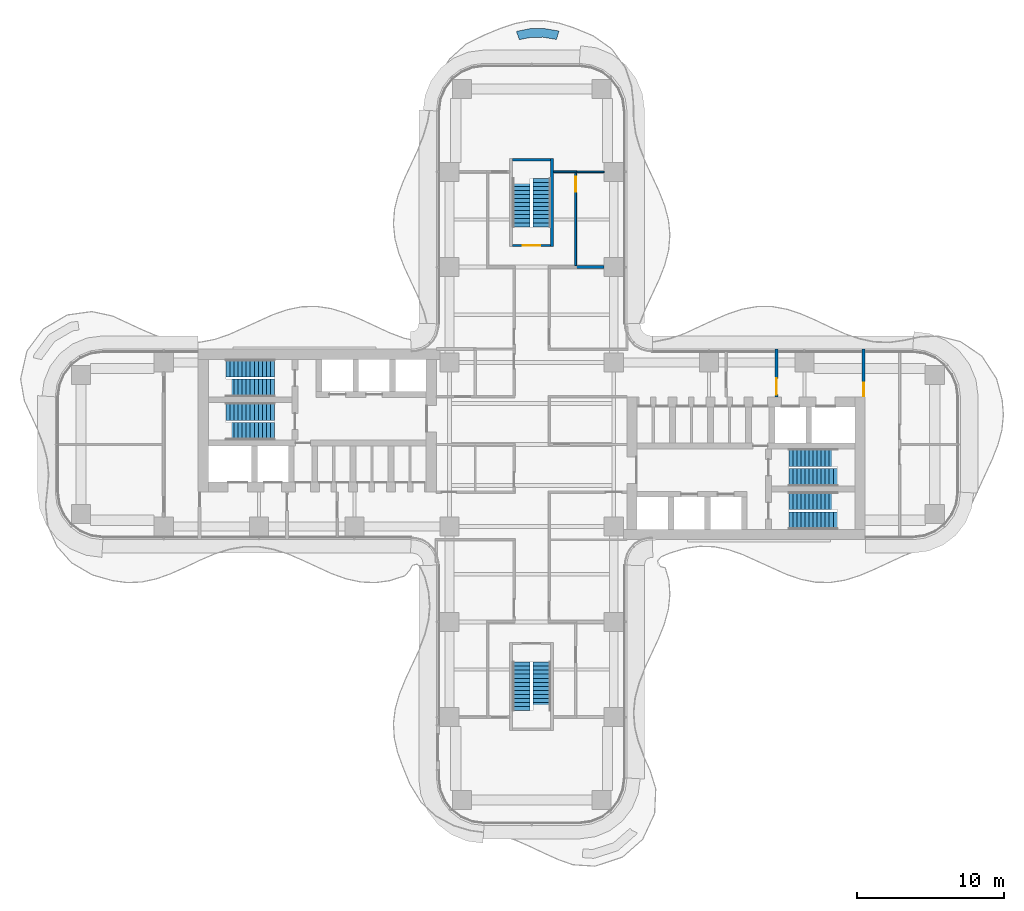
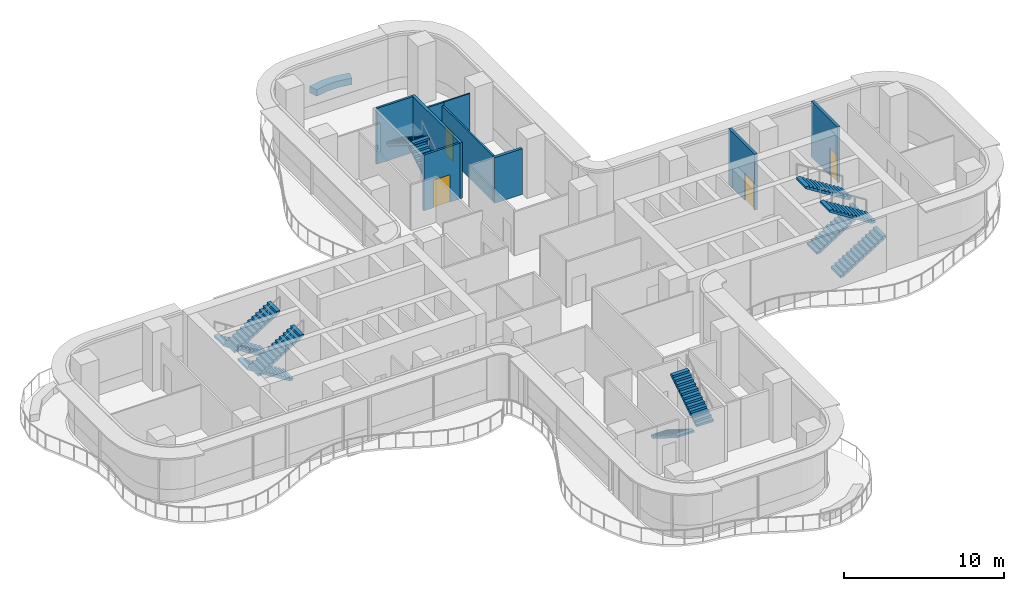
# One storey, part 19 of 21: 12 stair flights, 10 walls, 4 doors, 4 openings, 6 elements without a shape of their own.
"""IFC4 building model written with IfcOpenShell, lengths in metres."""

from ifc_helpers import new_model, si_unit, direction, frame, frame_2d, origin, place, context, subcontext, project, spatial, polyline, rectangle, outline, extrude, source, transform, mapped, material, layer, layer_set, type_object, element, fill, aggregate, save


model = new_model("IFC4")

# Units and contexts
model_context = context("Model", 3, precision=1e-05, world=origin(), true_north=direction((0.0, 1.0)))
body_context = subcontext(model_context, "Body", "Model", "MODEL_VIEW")
ifc_project = project(units=[si_unit("LENGTHUNIT", "METRE"), si_unit("AREAUNIT", "SQUARE_METRE"), si_unit("VOLUMEUNIT", "CUBIC_METRE"), si_unit("PLANEANGLEUNIT", "RADIAN"), si_unit("MASSUNIT", "GRAM", prefix="KILO")], contexts=[model_context])

# Site, building, storey
site_placement = place(None, origin())
site = spatial("IfcSite", under=ifc_project, at=site_placement, CompositionType="ELEMENT")
building_placement = place(site_placement, origin())
building = spatial("IfcBuilding", under=site, at=building_placement, Name="Trellis Farm Tower", CompositionType="ELEMENT")
storey_placement = place(building_placement, frame((0.0, 0.0, 147.0)))
storey = spatial("IfcBuildingStorey", under=building, at=storey_placement, Name="L31", CompositionType="ELEMENT", Elevation=147.0)

# Wall
ifc_material_1 = material(Name="Sandstone faced masonry planter", Category="masonry")
ifc_layer_1 = layer(ifc_material_1, 0.60009765625)
ifc_layer_set_1 = layer_set([ifc_layer_1], Name="PLANTER BED 600")
wall_type_1 = type_object("IfcWallType", Name="PLANTER BED 600", PredefinedType="USERDEFINED", material=ifc_layer_set_1)
placement = place(storey_placement, origin())
element("IfcWall", 1, at=placement, inside=storey, type_object=wall_type_1, Name="PLANTER bed", ObjectType="PLANTER", PredefinedType="USERDEFINED", context=body_context, shape_type="SweptSolid", body=[
    extrude(outline(polyline([(-0.089599609375, 28.36962890625), (0.810302734375, 28.381591796875), (1.722412109375, 28.231201171875), (1.86474609375, 28.185791015625), (1.681884765625, 27.6142578125), (1.581298828125, 27.646484375), (0.76513671875, 27.78076171875), (-0.02978515625, 27.7705078125), (-0.848388671875, 27.61572265625), (-1.0400390625, 28.184326171875), (-0.089599609375, 28.36962890625)])), origin(), (0.0, 0.0, 1.0), 0.5),
])

# Wall, opening, door
ifc_material_2 = material(Name="Masonry blockwork", Category="masonry")
ifc_layer_2 = layer(ifc_material_2, 0.199951171875)
ifc_layer_set_2 = layer_set([ifc_layer_2], Name="FIRE LOBBY PARTITION 200 BLOCKWORK")
wall_type_2 = type_object("IfcWallType", Name="FIRE LOBBY PARTITION 200 BLOCKWORK", PredefinedType="PARTITIONING", material=ifc_layer_set_2)
shared_shape_1 = source(origin(), body_context, "Body", "SweptSolid", [
    extrude(rectangle(XDim=3.25, YDim=0.199951171875, at=frame_2d((1.625, 0.0))), origin(), (0.0, 0.0, 1.0), 4.25),
])
wall_2_placement = place(storey_placement, frame((16.699951171875, 3.25, 0.0), z_axis=(0.0, 0.0, 1.0), x_axis=(0.0, 1.0, 0.0)))
wall_2 = element("IfcWall", 2, at=wall_2_placement, inside=storey, type_object=wall_type_2, Name="Fire-fighting lobby partition", PredefinedType="PARTITIONING", context=body_context, shape_type="MappedRepresentation", body=[
    mapped(shared_shape_1, transform((0.0, 0.0, 0.0))),
])
shared_shape_2 = source(origin(), body_context, "Body", "SweptSolid", [
    extrude(rectangle(XDim=1.10009765625, YDim=2.10009765625, at=frame_2d((0.550048828125, 1.050048828125))), frame((0.0, 0.110107421875, 0.0), z_axis=(0.0, -1.0, 0.0), x_axis=(1.0, 0.0, 0.0)), (0.0, 0.0, 1.0), 0.22021484375),
])
opening_1_placement = place(wall_2_placement, frame((0.14990234375, 0.0, 0.0)))
opening_1 = element("IfcOpeningElement", 3, at=opening_1_placement, cuts=wall_2, Name="Opening DC7", PredefinedType="OPENING", context=body_context, shape_type="MappedRepresentation", body=[
    mapped(shared_shape_2, transform((0.0, 0.0, 0.0))),
])
ifc_material_3 = material(Name="Steel", Category="steel")
door_type_1 = type_object("IfcDoorType", Name="CORE FIRE DOOR 1100 X 2100", OperationType="NOTDEFINED", PredefinedType="DOOR", material=ifc_material_3)
shared_shape_3 = source(origin(), body_context, "Body", "SweptSolid", [
    extrude(rectangle(XDim=1.10009765625, YDim=2.10009765625, at=frame_2d((0.550048828125, 1.050048828125))), frame((0.0, 0.02490234375, 0.0), z_axis=(0.0, -1.0, 0.0), x_axis=(1.0, 0.0, 0.0)), (0.0, 0.0, 1.0), 0.050048828125),
])
door_1_placement = place(opening_1_placement, origin())
door_1 = element("IfcDoor", 4, at=door_1_placement, inside=storey, type_object=door_type_1, Name="Core door", OperationType="SINGLE_SWING_RIGHT", OverallHeight=2.10009765625, OverallWidth=1.10009765625, PredefinedType="DOOR", context=body_context, shape_type="MappedRepresentation", body=[
    mapped(shared_shape_3, transform((0.0, 0.0, 0.0))),
])
fill(opening_1, door_1)

wall_3_placement = place(storey_placement, frame((22.64990234375, 3.25, 0.0), z_axis=(0.0, 0.0, 1.0), x_axis=(0.0, 1.0, 0.0)))
wall_3 = element("IfcWall", 5, at=wall_3_placement, inside=storey, type_object=wall_type_2, Name="Fire-fighting lobby partition", PredefinedType="PARTITIONING", context=body_context, shape_type="MappedRepresentation", body=[
    mapped(shared_shape_1, transform((0.0, 0.0, 0.0))),
])
shared_shape_4 = source(origin(), body_context, "Body", "SweptSolid", [
    extrude(rectangle(XDim=0.89990234375, YDim=2.10009765625, at=frame_2d((0.449951171875, 1.050048828125))), frame((0.0, 0.110107421875, 0.0), z_axis=(0.0, -1.0, 0.0), x_axis=(1.0, 0.0, 0.0)), (0.0, 0.0, 1.0), 0.22021484375),
])
opening_2_placement = place(wall_3_placement, frame((0.050048828125, 0.0, 0.0)))
opening_2 = element("IfcOpeningElement", 6, at=opening_2_placement, cuts=wall_3, Name="Opening DC8", PredefinedType="OPENING", context=body_context, shape_type="MappedRepresentation", body=[
    mapped(shared_shape_4, transform((0.0, 0.0, 0.0))),
])
door_type_2 = type_object("IfcDoorType", Name="CORE FIRE DOOR 900 X 2100", OperationType="NOTDEFINED", PredefinedType="DOOR", material=ifc_material_3)
shared_shape_5 = source(origin(), body_context, "Body", "SweptSolid", [
    extrude(rectangle(XDim=0.89990234375, YDim=2.10009765625, at=frame_2d((0.449951171875, 1.050048828125))), frame((0.0, 0.02490234375, 0.0), z_axis=(0.0, -1.0, 0.0), x_axis=(1.0, 0.0, 0.0)), (0.0, 0.0, 1.0), 0.050048828125),
])
door_2_placement = place(opening_2_placement, origin())
door_2 = element("IfcDoor", 7, at=door_2_placement, inside=storey, type_object=door_type_2, Name="Core door", OperationType="SINGLE_SWING_RIGHT", OverallHeight=2.10009765625, OverallWidth=0.89990234375, PredefinedType="DOOR", context=body_context, shape_type="MappedRepresentation", body=[
    mapped(shared_shape_5, transform((0.0, 0.0, 0.0))),
])
fill(opening_2, door_2)

# Wall
ifc_material_4 = material(Name="Concrete C70/85", Category="concrete")
ifc_layer_3 = layer(ifc_material_4, 0.199951171875)
ifc_layer_set_3 = layer_set([ifc_layer_3], Name="CORE STAIR ENCLOSURE WALL 200 CONCRETE C70/85")
wall_type_3 = type_object("IfcWallType", Name="CORE STAIR ENCLOSURE WALL 200 CONCRETE C70/85", PredefinedType="SHEAR", material=ifc_layer_set_3)
shared_shape_6 = source(origin(), body_context, "Body", "SweptSolid", [
    extrude(rectangle(XDim=6.0, YDim=0.199951171875, at=frame_2d((3.0, 0.0))), origin(), (0.0, 0.0, 1.0), 4.25),
])
wall_4_placement = place(storey_placement, frame((1.39990234375, 13.5, 0.0), z_axis=(0.0, 0.0, 1.0), x_axis=(0.0, 1.0, 0.0)))
element("IfcWall", 8, at=wall_4_placement, inside=storey, type_object=wall_type_3, Name="Stair enclosure wall", PredefinedType="SHEAR", context=body_context, shape_type="MappedRepresentation", body=[
    mapped(shared_shape_6, transform((0.0, 0.0, 0.0))),
])

# Wall, opening, door
ifc_layer_4 = layer(ifc_material_4, 0.14990234375)
ifc_layer_set_4 = layer_set([ifc_layer_4], Name="CORE STAIR ENCLOSURE WALL 150 CONCRETE C70/85")
wall_type_4 = type_object("IfcWallType", Name="CORE STAIR ENCLOSURE WALL 150 CONCRETE C70/85", PredefinedType="SHEAR", material=ifc_layer_set_4)
shared_shape_7 = source(origin(), body_context, "Body", "SweptSolid", [
    extrude(rectangle(XDim=2.60009765625, YDim=0.14990234375, at=frame_2d((1.300048828125, 0.0))), origin(), (0.0, 0.0, 1.0), 4.25),
])
wall_5_placement = place(storey_placement, frame((-1.300048828125, 13.574951171875, 0.0), z_axis=(0.0, 0.0, 1.0), x_axis=(1.0, 0.0, 0.0)))
wall_5 = element("IfcWall", 9, at=wall_5_placement, inside=storey, type_object=wall_type_4, Name="Stair enclosure wall", PredefinedType="SHEAR", context=body_context, shape_type="MappedRepresentation", body=[
    mapped(shared_shape_7, transform((0.0, 0.0, 0.0))),
])
shared_shape_8 = source(origin(), body_context, "Body", "SweptSolid", [
    extrude(rectangle(XDim=1.199951171875, YDim=2.10009765625, at=frame_2d((0.60009765625, 1.050048828125))), frame((0.0, 0.0849609375, 0.0), z_axis=(0.0, -1.0, 0.0), x_axis=(1.0, 0.0, 0.0)), (0.0, 0.0, 1.0), 0.169921875),
])
opening_3_placement = place(wall_5_placement, frame((0.699951171875, 0.0, 0.0)))
opening_3 = element("IfcOpeningElement", 10, at=opening_3_placement, cuts=wall_5, Name="Opening DC173", PredefinedType="OPENING", context=body_context, shape_type="MappedRepresentation", body=[
    mapped(shared_shape_8, transform((0.0, 0.0, 0.0))),
])
door_type_3 = type_object("IfcDoorType", Name="CORE FIRE DOOR 1200 X 2100", OperationType="NOTDEFINED", PredefinedType="DOOR", material=ifc_material_3)
shared_shape_9 = source(origin(), body_context, "Body", "SweptSolid", [
    extrude(rectangle(XDim=1.199951171875, YDim=2.10009765625, at=frame_2d((0.60009765625, 1.050048828125))), frame((0.0, 0.02490234375, 0.0), z_axis=(0.0, -1.0, 0.0), x_axis=(1.0, 0.0, 0.0)), (0.0, 0.0, 1.0), 0.050048828125),
])
door_3_placement = place(opening_3_placement, origin())
door_3 = element("IfcDoor", 11, at=door_3_placement, inside=storey, type_object=door_type_3, Name="Core door", OperationType="SINGLE_SWING_LEFT", OverallHeight=2.10009765625, OverallWidth=1.199951171875, PredefinedType="DOOR", context=body_context, shape_type="MappedRepresentation", body=[
    mapped(shared_shape_9, transform((0.0, 0.0, 0.0))),
])
fill(opening_3, door_3)

# Wall
wall_6_placement = place(storey_placement, frame((-1.300048828125, 19.425048828125, 0.0), z_axis=(0.0, 0.0, 1.0), x_axis=(1.0, 0.0, 0.0)))
element("IfcWall", 12, at=wall_6_placement, inside=storey, type_object=wall_type_4, Name="Stair enclosure wall", PredefinedType="SHEAR", context=body_context, shape_type="MappedRepresentation", body=[
    mapped(shared_shape_7, transform((0.0, 0.0, 0.0))),
])

# Wall, opening, door
ifc_material_5 = material(Name="Plasterboard on steel studs, mineral wool", Category="steel")
ifc_layer_5 = layer(ifc_material_5, 0.125)
ifc_layer_set_5 = layer_set([ifc_layer_5], Name="PARTITION 125 STUD EI 60")
wall_type_5 = type_object("IfcWallType", Name="PARTITION 125 STUD EI 60", PredefinedType="PARTITIONING", material=ifc_layer_set_5)
shared_shape_10 = source(origin(), body_context, "Body", "SweptSolid", [
    extrude(rectangle(XDim=6.35009765625, YDim=0.125, at=frame_2d((3.175048828125, 0.0))), origin(), (0.0, 0.0, 1.0), 3.4677734375),
])
wall_7_placement = place(storey_placement, frame((3.0, 18.550048828125, 0.0), z_axis=(0.0, 0.0, 1.0), x_axis=(0.0, -1.0, 0.0)))
wall_7 = element("IfcWall", 13, at=wall_7_placement, inside=storey, type_object=wall_type_5, Name="Partition PW1", PredefinedType="PARTITIONING", context=body_context, shape_type="MappedRepresentation", body=[
    mapped(shared_shape_10, transform((0.0, 0.0, 0.0))),
])
shared_shape_11 = source(origin(), body_context, "Body", "SweptSolid", [
    extrude(rectangle(XDim=1.0, YDim=2.10009765625, at=frame_2d((0.5, 1.050048828125))), frame((0.0, 0.072509765625, 0.0), z_axis=(0.0, -1.0, 0.0), x_axis=(1.0, 0.0, 0.0)), (0.0, 0.0, 1.0), 0.14501953125),
])
opening_4_placement = place(wall_7_placement, frame((0.300048828125, 0.0, 0.0)))
opening_4 = element("IfcOpeningElement", 14, at=opening_4_placement, cuts=wall_7, Name="Opening D113", PredefinedType="OPENING", context=body_context, shape_type="MappedRepresentation", body=[
    mapped(shared_shape_11, transform((0.0, 0.0, 0.0))),
])
ifc_material_6 = material(Name="Fire-rated timber door leaf in a hollow metal frame", Category="wood")
door_type_4 = type_object("IfcDoorType", Name="DOOR 1000x2100 FD30S", OperationType="NOTDEFINED", PredefinedType="DOOR", material=ifc_material_6)
shared_shape_12 = source(origin(), body_context, "Body", "SweptSolid", [
    extrude(rectangle(XDim=1.0, YDim=2.10009765625, at=frame_2d((0.5, 1.050048828125))), frame((0.0, 0.02490234375, 0.0), z_axis=(0.0, -1.0, 0.0), x_axis=(1.0, 0.0, 0.0)), (0.0, 0.0, 1.0), 0.050048828125),
])
door_4_placement = place(opening_4_placement, origin())
door_4 = element("IfcDoor", 15, at=door_4_placement, inside=storey, type_object=door_type_4, Name="Door D113", OperationType="SINGLE_SWING_LEFT", OverallHeight=2.10009765625, OverallWidth=1.0, PredefinedType="DOOR", context=body_context, shape_type="MappedRepresentation", body=[
    mapped(shared_shape_12, transform((0.0, 0.0, 0.0))),
])
fill(opening_4, door_4)

# Walls
shared_shape_13 = source(origin(), body_context, "Body", "SweptSolid", [
    extrude(rectangle(XDim=1.5625, YDim=0.125, at=frame_2d((0.78125, 0.0))), origin(), (0.0, 0.0, 1.0), 3.697021484375),
])
wall_8_placement = place(storey_placement, frame((1.5, 18.60009765625, 0.0), z_axis=(0.0, 0.0, 1.0), x_axis=(1.0, 0.0, 0.0)))
element("IfcWall", 16, at=wall_8_placement, inside=storey, type_object=wall_type_5, Name="Partition PW1", PredefinedType="PARTITIONING", context=body_context, shape_type="MappedRepresentation", body=[
    mapped(shared_shape_13, transform((0.0, 0.0, 0.0))),
])
ifc_material_7 = material(Name="Plasterboard on steel studs", Category="steel")
ifc_layer_6 = layer(ifc_material_7, 0.10009765625)
ifc_layer_set_6 = layer_set([ifc_layer_6], Name="PARTITION 100 STUD EI 30")
wall_type_6 = type_object("IfcWallType", Name="PARTITION 100 STUD EI 30", PredefinedType="PARTITIONING", material=ifc_layer_set_6)
shared_shape_14 = source(origin(), body_context, "Body", "SweptSolid", [
    extrude(rectangle(XDim=2.012451171875, YDim=0.10009765625, at=frame_2d((1.00634765625, 0.0))), origin(), (0.0, 0.0, 1.0), 3.697021484375),
])
wall_9_placement = place(storey_placement, frame((2.9375, 18.60009765625, 0.0), z_axis=(0.0, 0.0, 1.0), x_axis=(1.0, 0.0, 0.0)))
element("IfcWall", 17, at=wall_9_placement, inside=storey, type_object=wall_type_6, Name="Partition PW2", PredefinedType="PARTITIONING", context=body_context, shape_type="MappedRepresentation", body=[
    mapped(shared_shape_14, transform((0.0, 0.0, 0.0))),
])
ifc_material_8 = material(Name="Lightweight blockwork, plastered", Category="masonry")
ifc_layer_7 = layer(ifc_material_8, 0.199951171875)
ifc_layer_set_7 = layer_set([ifc_layer_7], Name="BLOCK WALL 200 EI 120")
wall_type_7 = type_object("IfcWallType", Name="BLOCK WALL 200 EI 120", PredefinedType="PARTITIONING", material=ifc_layer_set_7)
shared_shape_15 = source(origin(), body_context, "Body", "SweptSolid", [
    extrude(rectangle(XDim=2.012451171875, YDim=0.199951171875, at=frame_2d((1.00634765625, 0.0))), origin(), (0.0, 0.0, 1.0), 3.4677734375),
])
wall_10_placement = place(storey_placement, frame((2.9375, 12.10009765625, 0.0), z_axis=(0.0, 0.0, 1.0), x_axis=(1.0, 0.0, 0.0)))
element("IfcWall", 18, at=wall_10_placement, inside=storey, type_object=wall_type_7, Name="Partition PW3", PredefinedType="PARTITIONING", context=body_context, shape_type="MappedRepresentation", body=[
    mapped(shared_shape_15, transform((0.0, 0.0, 0.0))),
])

# Stair, stair flights
ifc_material_9 = material(Name="Concrete C50/60", Category="concrete")
stair_type = type_object("IfcStairType", Name="CORE EXIT STAIR 26 RISERS 173 MM", PredefinedType="HALF_TURN_STAIR", material=ifc_material_9)
stair_1 = element("IfcStair", 19, at=placement, inside=storey, type_object=stair_type, Name="Exit stair N", PredefinedType="HALF_TURN_STAIR")
stair_flight_type = type_object("IfcStairFlightType", Name="STAIR FLIGHT 13 RISERS 173 MM", PredefinedType="STRAIGHT", material=ifc_material_9)
shared_shape_16 = source(origin(), body_context, "Body", "SweptSolid", [
    extrude(outline(polyline([(0.0, 0.0), (0.0, 0.173095703125), (0.27490234375, 0.173095703125), (0.27490234375, 0.34619140625), (0.550048828125, 0.34619140625), (0.550048828125, 0.519287109375), (0.824951171875, 0.519287109375), (0.824951171875, 0.6923828125), (1.10009765625, 0.6923828125), (1.10009765625, 0.865478515625), (1.375, 0.865478515625), (1.375, 1.03857421875), (1.64990234375, 1.03857421875), (1.64990234375, 1.21142578125), (1.925048828125, 1.21142578125), (1.925048828125, 1.384521484375), (2.199951171875, 1.384521484375), (2.199951171875, 1.5576171875), (2.47509765625, 1.5576171875), (2.47509765625, 1.730712890625), (2.75, 1.730712890625), (2.75, 1.90380859375), (3.02490234375, 1.90380859375), (3.02490234375, 2.076904296875), (3.300048828125, 2.076904296875), (3.300048828125, 2.25), (3.300048828125, 1.92333984375), (0.243896484375, 0.0), (0.0, 0.0)])), frame((0.0, 0.60009765625, 0.0), z_axis=(0.0, -1.0, 0.0), x_axis=(1.0, 0.0, 0.0)), (0.0, 0.0, 1.0), 1.199951171875),
])
stair_flight_1_placement = place(storey_placement, frame((0.699951171875, 14.85009765625, 0.0), z_axis=(0.0, 0.0, 1.0), x_axis=(0.0, 1.0, 0.0)))
stair_flight_1 = element("IfcStairFlight", 20, at=stair_flight_1_placement, type_object=stair_flight_type, Name="STN flight 1", NumberOfRisers=13, NumberOfTreads=12, PredefinedType="STRAIGHT", RiserHeight=0.173076923, TreadLength=0.275, context=body_context, shape_type="MappedRepresentation", body=[
    mapped(shared_shape_16, transform((0.0, 0.0, 0.0))),
])
stair_flight_2_placement = place(storey_placement, frame((-0.699951171875, 18.14990234375, 2.25), z_axis=(0.0, 0.0, 1.0), x_axis=(0.0, -1.0, 0.0)))
stair_flight_2 = element("IfcStairFlight", 21, at=stair_flight_2_placement, type_object=stair_flight_type, Name="STN flight 2", NumberOfRisers=13, NumberOfTreads=12, PredefinedType="STRAIGHT", RiserHeight=0.173076923, TreadLength=0.275, context=body_context, shape_type="MappedRepresentation", body=[
    mapped(shared_shape_16, transform((0.0, 0.0, 0.0))),
])
aggregate(stair_1, [stair_flight_1, stair_flight_2])

stair_2 = element("IfcStair", 22, at=placement, inside=storey, type_object=stair_type, Name="Exit stair S", PredefinedType="HALF_TURN_STAIR")
stair_flight_3_placement = place(storey_placement, frame((-0.699951171875, -14.85009765625, 0.0), z_axis=(0.0, 0.0, 1.0), x_axis=(0.0, -1.0, 0.0)))
stair_flight_3 = element("IfcStairFlight", 23, at=stair_flight_3_placement, type_object=stair_flight_type, Name="STS flight 1", NumberOfRisers=13, NumberOfTreads=12, PredefinedType="STRAIGHT", RiserHeight=0.173076923, TreadLength=0.275, context=body_context, shape_type="MappedRepresentation", body=[
    mapped(shared_shape_16, transform((0.0, 0.0, 0.0))),
])
stair_flight_4_placement = place(storey_placement, frame((0.699951171875, -18.14990234375, 2.25), z_axis=(0.0, 0.0, 1.0), x_axis=(0.0, 1.0, 0.0)))
stair_flight_4 = element("IfcStairFlight", 24, at=stair_flight_4_placement, type_object=stair_flight_type, Name="STS flight 2", NumberOfRisers=13, NumberOfTreads=12, PredefinedType="STRAIGHT", RiserHeight=0.173076923, TreadLength=0.275, context=body_context, shape_type="MappedRepresentation", body=[
    mapped(shared_shape_16, transform((0.0, 0.0, 0.0))),
])
aggregate(stair_2, [stair_flight_3, stair_flight_4])

stair_3 = element("IfcStair", 25, at=placement, inside=storey, type_object=stair_type, Name="Exit stair E1", PredefinedType="HALF_TURN_STAIR")
stair_flight_5_placement = place(storey_placement, frame((17.550048828125, -5.199951171875, 0.0), z_axis=(0.0, 0.0, 1.0), x_axis=(1.0, 0.0, 0.0)))
stair_flight_5 = element("IfcStairFlight", 26, at=stair_flight_5_placement, type_object=stair_flight_type, Name="STE1 flight 1", NumberOfRisers=13, NumberOfTreads=12, PredefinedType="STRAIGHT", RiserHeight=0.173076923, TreadLength=0.275, context=body_context, shape_type="MappedRepresentation", body=[
    mapped(shared_shape_16, transform((0.0, 0.0, 0.0))),
])
stair_flight_6_placement = place(storey_placement, frame((20.85009765625, -3.85009765625, 2.25), z_axis=(0.0, 0.0, 1.0), x_axis=(-1.0, 0.0, 0.0)))
stair_flight_6 = element("IfcStairFlight", 27, at=stair_flight_6_placement, type_object=stair_flight_type, Name="STE1 flight 2", NumberOfRisers=13, NumberOfTreads=12, PredefinedType="STRAIGHT", RiserHeight=0.173076923, TreadLength=0.275, context=body_context, shape_type="MappedRepresentation", body=[
    mapped(shared_shape_16, transform((0.0, 0.0, 0.0))),
])
aggregate(stair_3, [stair_flight_5, stair_flight_6])

stair_4 = element("IfcStair", 28, at=placement, inside=storey, type_object=stair_type, Name="Exit stair E2", PredefinedType="HALF_TURN_STAIR")
stair_flight_7_placement = place(storey_placement, frame((17.550048828125, -2.25, 0.0), z_axis=(0.0, 0.0, 1.0), x_axis=(1.0, 0.0, 0.0)))
stair_flight_7 = element("IfcStairFlight", 29, at=stair_flight_7_placement, type_object=stair_flight_type, Name="STE2 flight 1", NumberOfRisers=13, NumberOfTreads=12, PredefinedType="STRAIGHT", RiserHeight=0.173076923, TreadLength=0.275, context=body_context, shape_type="MappedRepresentation", body=[
    mapped(shared_shape_16, transform((0.0, 0.0, 0.0))),
])
stair_flight_8_placement = place(storey_placement, frame((20.85009765625, -0.89990234375, 2.25), z_axis=(0.0, 0.0, 1.0), x_axis=(-1.0, 0.0, 0.0)))
stair_flight_8 = element("IfcStairFlight", 30, at=stair_flight_8_placement, type_object=stair_flight_type, Name="STE2 flight 2", NumberOfRisers=13, NumberOfTreads=12, PredefinedType="STRAIGHT", RiserHeight=0.173076923, TreadLength=0.275, context=body_context, shape_type="MappedRepresentation", body=[
    mapped(shared_shape_16, transform((0.0, 0.0, 0.0))),
])
aggregate(stair_4, [stair_flight_7, stair_flight_8])

stair_5 = element("IfcStair", 31, at=placement, inside=storey, type_object=stair_type, Name="Exit stair W1", PredefinedType="HALF_TURN_STAIR")
stair_flight_9_placement = place(storey_placement, frame((-17.550048828125, 5.199951171875, 0.0), z_axis=(0.0, 0.0, 1.0), x_axis=(-1.0, 0.0, 0.0)))
stair_flight_9 = element("IfcStairFlight", 32, at=stair_flight_9_placement, type_object=stair_flight_type, Name="STW1 flight 1", NumberOfRisers=13, NumberOfTreads=12, PredefinedType="STRAIGHT", RiserHeight=0.173076923, TreadLength=0.275, context=body_context, shape_type="MappedRepresentation", body=[
    mapped(shared_shape_16, transform((0.0, 0.0, 0.0))),
])
stair_flight_10_placement = place(storey_placement, frame((-20.85009765625, 3.85009765625, 2.25), z_axis=(0.0, 0.0, 1.0), x_axis=(1.0, 0.0, 0.0)))
stair_flight_10 = element("IfcStairFlight", 33, at=stair_flight_10_placement, type_object=stair_flight_type, Name="STW1 flight 2", NumberOfRisers=13, NumberOfTreads=12, PredefinedType="STRAIGHT", RiserHeight=0.173076923, TreadLength=0.275, context=body_context, shape_type="MappedRepresentation", body=[
    mapped(shared_shape_16, transform((0.0, 0.0, 0.0))),
])
aggregate(stair_5, [stair_flight_9, stair_flight_10])

stair_6 = element("IfcStair", 34, at=placement, inside=storey, type_object=stair_type, Name="Exit stair W2", PredefinedType="HALF_TURN_STAIR")
stair_flight_11_placement = place(storey_placement, frame((-17.550048828125, 2.25, 0.0), z_axis=(0.0, 0.0, 1.0), x_axis=(-1.0, 0.0, 0.0)))
stair_flight_11 = element("IfcStairFlight", 35, at=stair_flight_11_placement, type_object=stair_flight_type, Name="STW2 flight 1", NumberOfRisers=13, NumberOfTreads=12, PredefinedType="STRAIGHT", RiserHeight=0.173076923, TreadLength=0.275, context=body_context, shape_type="MappedRepresentation", body=[
    mapped(shared_shape_16, transform((0.0, 0.0, 0.0))),
])
stair_flight_12_placement = place(storey_placement, frame((-20.85009765625, 0.89990234375, 2.25), z_axis=(0.0, 0.0, 1.0), x_axis=(1.0, 0.0, 0.0)))
stair_flight_12 = element("IfcStairFlight", 36, at=stair_flight_12_placement, type_object=stair_flight_type, Name="STW2 flight 2", NumberOfRisers=13, NumberOfTreads=12, PredefinedType="STRAIGHT", RiserHeight=0.173076923, TreadLength=0.275, context=body_context, shape_type="MappedRepresentation", body=[
    mapped(shared_shape_16, transform((0.0, 0.0, 0.0))),
])
aggregate(stair_6, [stair_flight_11, stair_flight_12])

save(model, "model.ifc")
